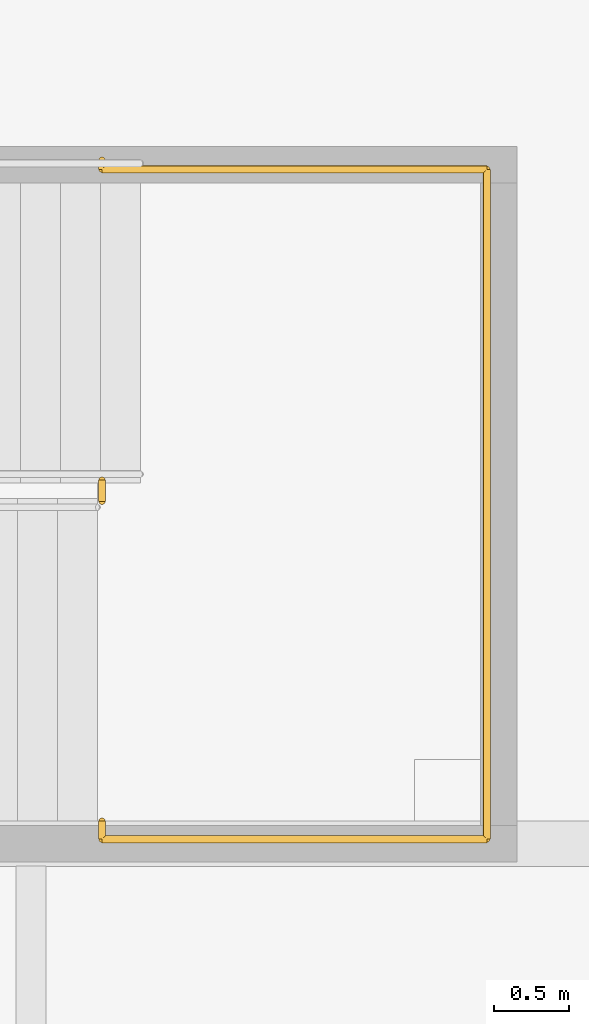
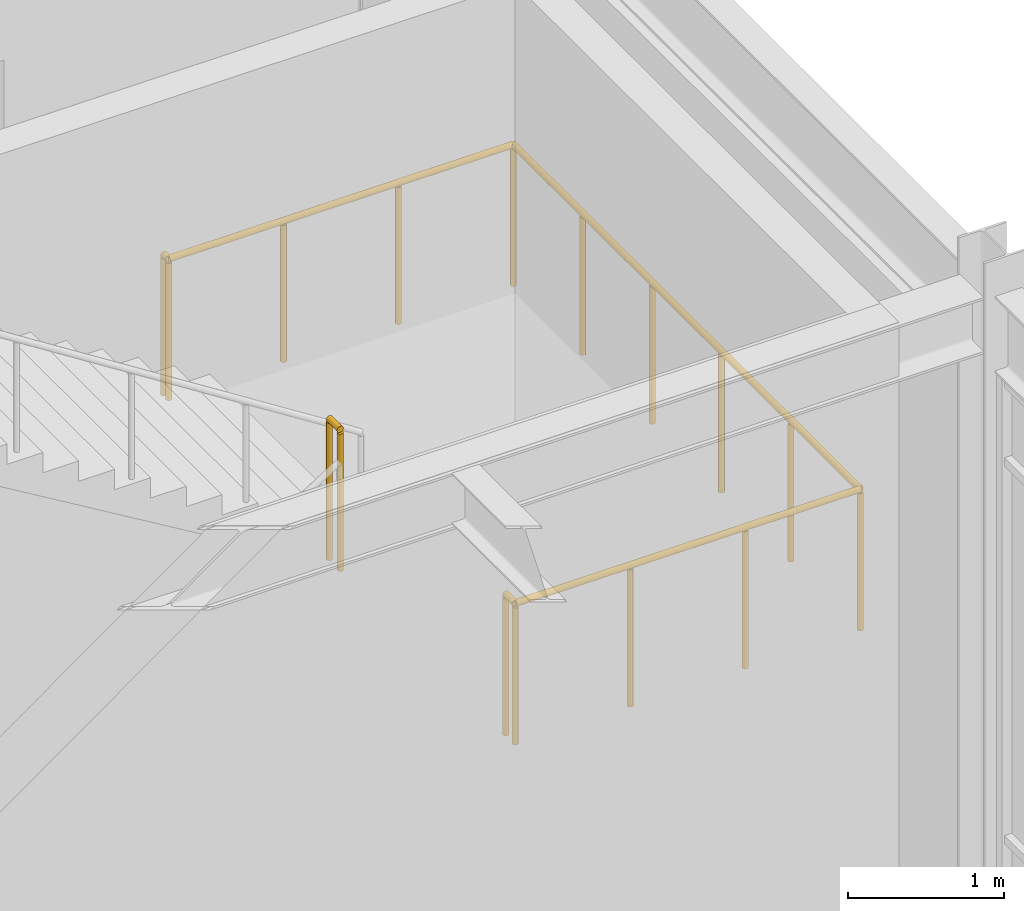
# One storey, part 116 of 119: 2 railings.
"""IFC4 building model written with IfcOpenShell, lengths in metres."""

from ifc_helpers import new_model, si_unit, direction, frame, origin, origin_2d, place, context, subcontext, project, spatial, circle, extrude, material, type_object, element, save


model = new_model("IFC4")

# Units and contexts
model_context = context("Model", 3, precision=1e-05, world=origin(), true_north=direction((0.0, 1.0)))
body_context = subcontext(model_context, "Body", "Model", "MODEL_VIEW")
ifc_project = project(units=[si_unit("LENGTHUNIT", "METRE"), si_unit("AREAUNIT", "SQUARE_METRE"), si_unit("VOLUMEUNIT", "CUBIC_METRE"), si_unit("PLANEANGLEUNIT", "RADIAN"), si_unit("MASSUNIT", "GRAM", prefix="KILO")], contexts=[model_context])

# Site, building, storey
site_placement = place(None, origin())
site = spatial("IfcSite", under=ifc_project, at=site_placement, CompositionType="ELEMENT")
building_placement = place(site_placement, origin())
building = spatial("IfcBuilding", under=site, at=building_placement, Name="Zhaolan Boulevard Law Courts", CompositionType="ELEMENT")
storey_placement = place(building_placement, origin())
storey = spatial("IfcBuildingStorey", under=building, at=storey_placement, Name="L00", CompositionType="ELEMENT", Elevation=0.0)

# Railings
ifc_material = material(Name="Powder-coated steel baluster guardrail", Category="steel")
railing_type = type_object("IfcRailingType", Name="STAIR WELL GUARDRAIL 1120", PredefinedType="GUARDRAIL", material=ifc_material)
railing_1_placement = place(storey_placement, frame((160.469970703125, 38.14990234375, 2.699951171875)))
element("IfcRailing", 1, at=railing_1_placement, inside=storey, type_object=railing_type, Name="Half-Landing Guardrail SG-ST07-L00-M", PredefinedType="GUARDRAIL", context=body_context, shape_type="SweptSolid", body=[
    extrude(circle(Radius=0.02392578125, at=origin_2d()), frame((0.0, 0.0, 1.09619140625), z_axis=(0.0, -1.0, 0.0), x_axis=(1.0, 0.0, 0.0)), (0.0, 0.0, 1.0), 0.119873046875),
    extrude(circle(Radius=0.02392578125, at=origin_2d()), frame((0.0, -0.119873046875, 1.09619140625), z_axis=(1.0, 0.0, 0.0), x_axis=(0.0, 1.0, 0.0)), (0.0, 0.0, 1.0), 2.550048828125),
    extrude(circle(Radius=0.02392578125, at=origin_2d()), frame((2.550048828125, -0.119873046875, 1.09619140625), z_axis=(0.0, 1.0, 0.0), x_axis=(-1.0, 0.0, 0.0)), (0.0, 0.0, 1.0), 4.43994140625),
    extrude(circle(Radius=0.02392578125, at=origin_2d()), frame((2.550048828125, 4.320068359375, 1.09619140625), z_axis=(-1.0, 0.0, 0.0), x_axis=(0.0, -1.0, 0.0)), (0.0, 0.0, 1.0), 2.550048828125),
    extrude(circle(Radius=0.02392578125, at=origin_2d()), frame((0.0, 4.320068359375, 1.09619140625), z_axis=(0.0, 1.0, 0.0), x_axis=(-1.0, 0.0, 0.0)), (0.0, 0.0, 1.0), 0.06005859375),
    extrude(circle(Radius=0.02099609375, at=origin_2d()), origin(), (0.0, 0.0, 1.0), 1.072021484375),
    extrude(circle(Radius=0.02099609375, at=origin_2d()), frame((0.0, -0.119873046875, 0.0)), (0.0, 0.0, 1.0), 1.072021484375),
    extrude(circle(Radius=0.02099609375, at=origin_2d()), frame((0.85009765625, -0.119873046875, 0.0)), (0.0, 0.0, 1.0), 1.072021484375),
    extrude(circle(Radius=0.02099609375, at=origin_2d()), frame((1.699951171875, -0.119873046875, 0.0)), (0.0, 0.0, 1.0), 1.072021484375),
    extrude(circle(Radius=0.02099609375, at=origin_2d()), frame((2.550048828125, -0.119873046875, 0.0)), (0.0, 0.0, 1.0), 1.072021484375),
    extrude(circle(Radius=0.02099609375, at=origin_2d()), frame((2.550048828125, 0.76806640625, 0.0)), (0.0, 0.0, 1.0), 1.072021484375),
    extrude(circle(Radius=0.02099609375, at=origin_2d()), frame((2.550048828125, 1.656005859375, 0.0)), (0.0, 0.0, 1.0), 1.072021484375),
    extrude(circle(Radius=0.02099609375, at=origin_2d()), frame((2.550048828125, 2.544189453125, 0.0)), (0.0, 0.0, 1.0), 1.072021484375),
    extrude(circle(Radius=0.02099609375, at=origin_2d()), frame((2.550048828125, 3.43212890625, 0.0)), (0.0, 0.0, 1.0), 1.072021484375),
    extrude(circle(Radius=0.02099609375, at=origin_2d()), frame((2.550048828125, 4.320068359375, 0.0)), (0.0, 0.0, 1.0), 1.072021484375),
    extrude(circle(Radius=0.02099609375, at=origin_2d()), frame((1.699951171875, 4.320068359375, 0.0)), (0.0, 0.0, 1.0), 1.072021484375),
    extrude(circle(Radius=0.02099609375, at=origin_2d()), frame((0.85009765625, 4.320068359375, 0.0)), (0.0, 0.0, 1.0), 1.072021484375),
    extrude(circle(Radius=0.02099609375, at=origin_2d()), frame((0.0, 4.320068359375, 0.0)), (0.0, 0.0, 1.0), 1.072021484375),
    extrude(circle(Radius=0.02099609375, at=origin_2d()), frame((0.0, 4.380126953125, 0.0)), (0.0, 0.0, 1.0), 1.072021484375),
])
railing_2_placement = place(storey_placement, frame((160.469970703125, 40.27001953125, 2.699951171875)))
element("IfcRailing", 2, at=railing_2_placement, inside=storey, type_object=railing_type, Name="Half-Landing Well Guardrail SG-ST07-L00-W", PredefinedType="GUARDRAIL", context=body_context, shape_type="SweptSolid", body=[
    extrude(circle(Radius=0.02392578125, at=origin_2d()), frame((0.0, 0.0, 1.09619140625), z_axis=(0.0, 1.0, 0.0), x_axis=(-1.0, 0.0, 0.0)), (0.0, 0.0, 1.0), 0.139892578125),
    extrude(circle(Radius=0.02099609375, at=origin_2d()), origin(), (0.0, 0.0, 1.0), 1.072021484375),
    extrude(circle(Radius=0.02099609375, at=origin_2d()), frame((0.0, 0.139892578125, 0.0)), (0.0, 0.0, 1.0), 1.072021484375),
])

save(model, "model.ifc")
